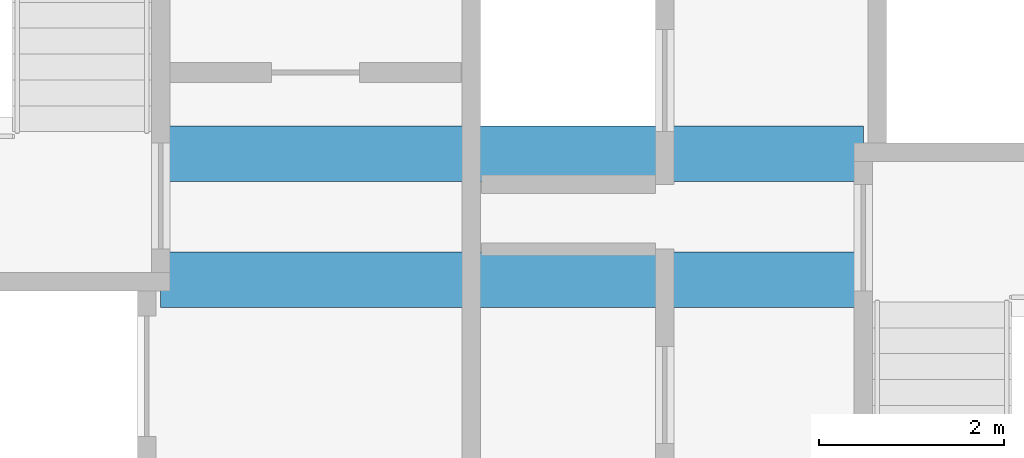
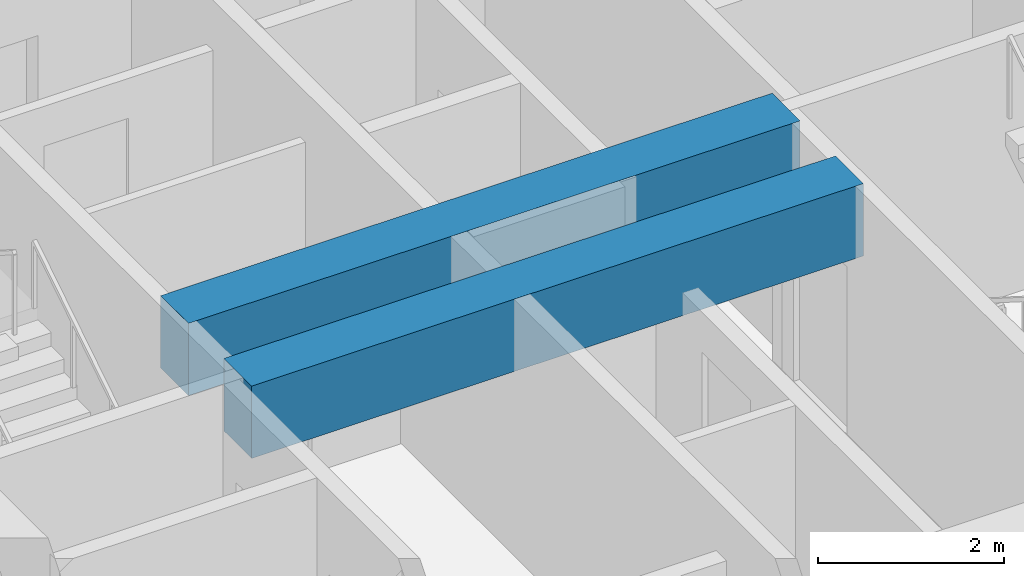
# One storey, part 10 of 50: 2 beams.
"""IFC4 building model written with IfcOpenShell, lengths in metres."""

from ifc_helpers import new_model, si_unit, direction, frame, origin, origin_2d, place, context, subcontext, project, spatial, rectangle, extrude, material, material_profile, profile_set, type_object, element, save


model = new_model("IFC4")

# Units and contexts
model_context = context("Model", 3, precision=1e-05, world=origin(), true_north=direction((0.0, 1.0)))
body_context = subcontext(model_context, "Body", "Model", "MODEL_VIEW")
ifc_project = project(units=[si_unit("LENGTHUNIT", "METRE"), si_unit("AREAUNIT", "SQUARE_METRE"), si_unit("VOLUMEUNIT", "CUBIC_METRE"), si_unit("PLANEANGLEUNIT", "RADIAN"), si_unit("MASSUNIT", "GRAM", prefix="KILO")], contexts=[model_context])

# Site, building, storey
site_placement = place(None, origin())
site = spatial("IfcSite", under=ifc_project, at=site_placement, CompositionType="ELEMENT")
building_placement = place(site_placement, origin())
building = spatial("IfcBuilding", under=site, at=building_placement, Name="Tashvorn Skyway Center", CompositionType="ELEMENT")
storey_placement = place(building_placement, frame((0.0, 0.0, 114.39990234375)))
storey = spatial("IfcBuildingStorey", under=building, at=storey_placement, Name="L30", CompositionType="ELEMENT", Elevation=114.39990234375)

# Beams
ifc_material = material(Name="Concrete C60/75", Category="concrete")
ifc_material_profile = material_profile(ifc_material, rectangle(XDim=0.60009765625, YDim=0.949951171875, at=origin_2d()), Name="RCB600x950")
ifc_profile_set = profile_set([ifc_material_profile], Name="Concrete C60/75")
beam_type = type_object("IfcBeamType", Name="BM-LINTEL-RCB600x950", PredefinedType="LINTEL", material=ifc_profile_set)
for number, where, z_axis, x_axis, name in (
    (1, (38.199951171875, 32.679931640625, 2.89501953125), (1.0, 0.0, 0.0), (0.0, 1.0, 0.0), "Tower 1 L30 Core Coupling Beam CN"),
    (2, (38.199951171875, 31.320068359375, 2.89501953125), (1.0, 0.0, 0.0), (0.0, 1.0, 0.0), "Tower 1 L30 Core Coupling Beam CS"),
):
    element("IfcBeam", number, at=place(storey_placement, frame(where, z_axis=z_axis, x_axis=x_axis)), inside=storey, type_object=beam_type, Name=name, PredefinedType="LINTEL", context=body_context, shape_type="SweptSolid", body=[
        extrude(rectangle(XDim=0.60009765625, YDim=0.949951171875, at=origin_2d()), origin(), (0.0, 0.0, 1.0), 7.60009765625),
    ])

save(model, "model.ifc")
